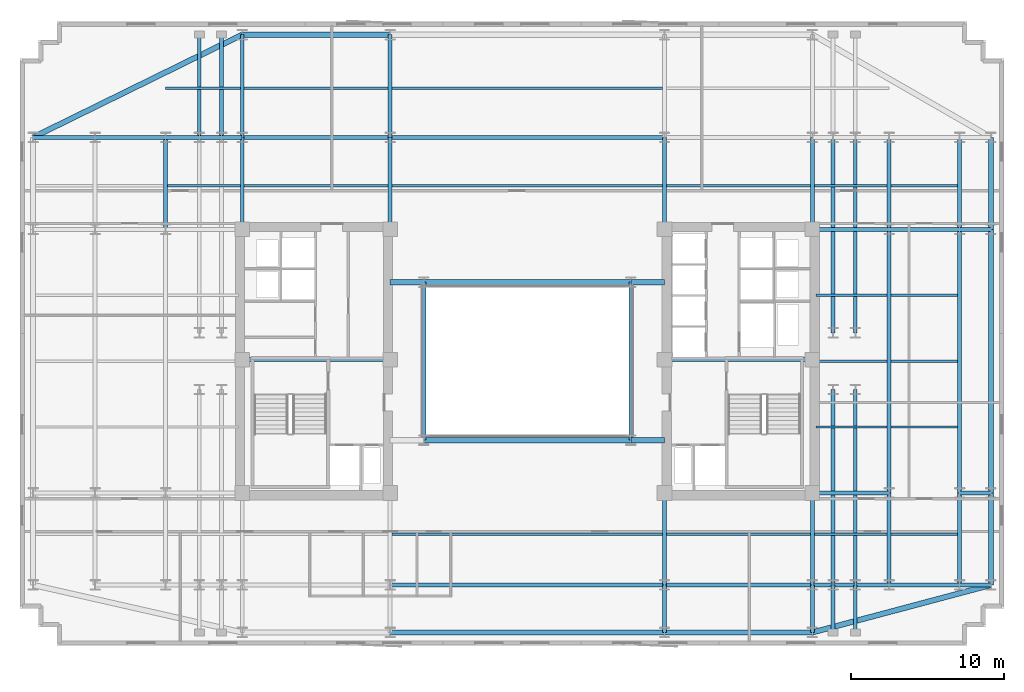
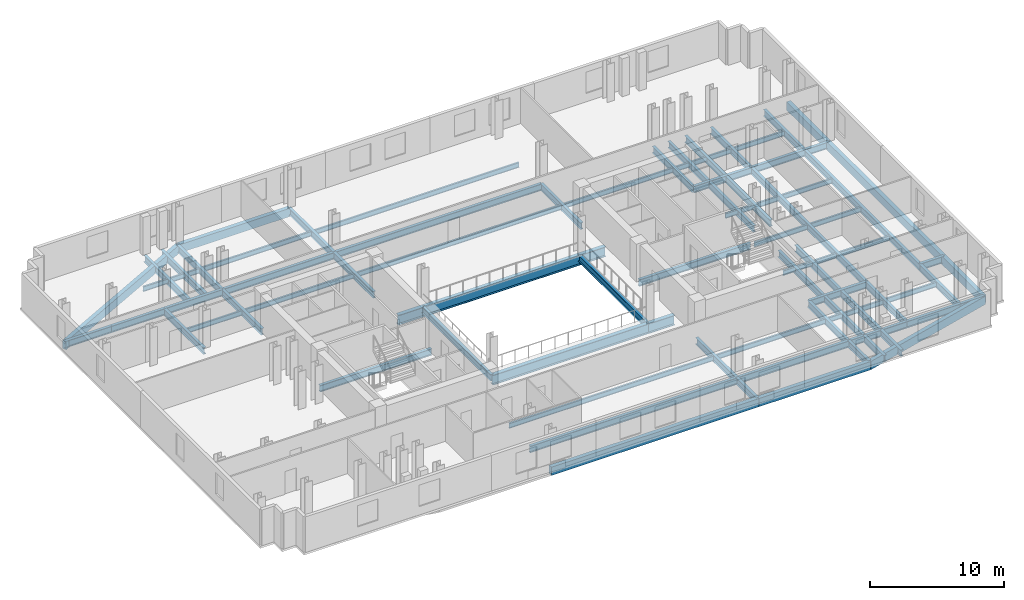
# One storey, part 2 of 10: 76 beams.
"""IFC4 building model written with IfcOpenShell, lengths in metres."""

from ifc_helpers import new_model, si_unit, direction, frame, origin, origin_2d, place, context, subcontext, project, spatial, rectangle, i_section, extrude, material, material_profile, profile_set, type_object, element, save


model = new_model("IFC4")

# Units and contexts
model_context = context("Model", 3, precision=1e-05, world=origin(), true_north=direction((0.0, 1.0)))
body_context = subcontext(model_context, "Body", "Model", "MODEL_VIEW")
ifc_project = project(units=[si_unit("LENGTHUNIT", "METRE"), si_unit("AREAUNIT", "SQUARE_METRE"), si_unit("VOLUMEUNIT", "CUBIC_METRE"), si_unit("PLANEANGLEUNIT", "RADIAN"), si_unit("MASSUNIT", "GRAM", prefix="KILO")], contexts=[model_context])

# Site, building, storey
site_placement = place(None, origin())
site = spatial("IfcSite", under=ifc_project, at=site_placement, CompositionType="ELEMENT")
building_placement = place(site_placement, origin())
building = spatial("IfcBuilding", under=site, at=building_placement, Name="Velakula Bourse", CompositionType="ELEMENT")
storey_placement = place(building_placement, frame((0.0, 0.0, 127.75)))
storey = spatial("IfcBuildingStorey", under=building, at=storey_placement, Name="L34", CompositionType="ELEMENT", Elevation=127.75)

# Beams
ifc_material_1 = material(Name="Steel IS 2062 Grade 350 (E350)", Category="steel")
ifc_material_profile_1 = material_profile(ifc_material_1, i_section(OverallWidth=0.25, OverallDepth=0.60009765625, WebThickness=0.01123046875, FlangeThickness=0.021240234375, at=origin_2d()), Name="Steel IS 2062 Grade 350 (E350)")
ifc_profile_set_1 = profile_set([ifc_material_profile_1], Name="Steel IS 2062 Grade 350 (E350)")
beam_type_1 = type_object("IfcBeamType", Name="BM-GRD-600M", PredefinedType="BEAM", material=ifc_profile_set_1)
for number, where, z_axis, x_axis, name in (
    (1, (-18.60009765625, 0.10009765625, -0.47998046875), (1.0, 0.0, 0.0), (0.0, 1.0, 0.0), "L34 Primary Backbone Girder CRW-M"),
    (2, (8.949951171875, 0.10009765625, -0.47998046875), (1.0, 0.0, 0.0), (0.0, 1.0, 0.0), "L34 Primary Backbone Girder CRE-M"),
):
    element("IfcBeam", number, at=place(storey_placement, frame(where, z_axis=z_axis, x_axis=x_axis)), inside=storey, type_object=beam_type_1, Name=name, PredefinedType="BEAM", context=body_context, shape_type="SweptSolid", body=[
        extrude(i_section(OverallWidth=0.25, OverallDepth=0.60009765625, WebThickness=0.01123046875, FlangeThickness=0.021240234375, at=origin_2d()), origin(), (0.0, 0.0, 1.0), 9.650146484375),
    ])
for number, where, z_axis, x_axis, name in (
    (3, (-6.75, -5.14990234375, -0.47998046875), (0.0, 1.0, 0.0), (-1.0, 0.0, 0.0), "L34 Primary Backbone Girder SPN-W"),
    (4, (6.75, -5.14990234375, -0.47998046875), (0.0, 1.0, 0.0), (-1.0, 0.0, 0.0), "L34 Primary Backbone Girder SPN-E"),
):
    element("IfcBeam", number, at=place(storey_placement, frame(where, z_axis=z_axis, x_axis=x_axis)), inside=storey, type_object=beam_type_1, Name=name, PredefinedType="BEAM", context=body_context, shape_type="SweptSolid", body=[
        extrude(i_section(OverallWidth=0.25, OverallDepth=0.60009765625, WebThickness=0.01123046875, FlangeThickness=0.021240234375, at=origin_2d()), origin(), (0.0, 0.0, 1.0), 10.2998046875),
    ])
for number, where, z_axis, x_axis, name in (
    (5, (-18.60009765625, 8.60009765625, -0.47998046875), (0.0, 1.0, 0.0), (-1.0, 0.0, 0.0), "L34 Fulcrum Grid Girder FLC-WN"),
    (6, (-8.949951171875, 8.60009765625, -0.47998046875), (0.0, 1.0, 0.0), (-1.0, 0.0, 0.0), "L34 Fulcrum Grid Girder FLC-WCN"),
    (7, (8.949951171875, -14.60009765625, -0.47998046875), (0.0, 1.0, 0.0), (-1.0, 0.0, 0.0), "L34 Fulcrum Grid Girder FLC-ECS"),
    (8, (8.949951171875, 8.60009765625, -0.47998046875), (0.0, 1.0, 0.0), (-1.0, 0.0, 0.0), "L34 Fulcrum Grid Girder FLC-ECN"),
    (9, (18.60009765625, -14.60009765625, -0.47998046875), (0.0, 1.0, 0.0), (-1.0, 0.0, 0.0), "L34 Fulcrum Grid Girder FLC-ES"),
    (10, (18.60009765625, 8.60009765625, -0.47998046875), (0.0, 1.0, 0.0), (-1.0, 0.0, 0.0), "L34 Fulcrum Grid Girder FLC-EN"),
):
    element("IfcBeam", number, at=place(storey_placement, frame(where, z_axis=z_axis, x_axis=x_axis)), inside=storey, type_object=beam_type_1, Name=name, PredefinedType="BEAM", context=body_context, shape_type="SweptSolid", body=[
        extrude(i_section(OverallWidth=0.25, OverallDepth=0.60009765625, WebThickness=0.01123046875, FlangeThickness=0.021240234375, at=origin_2d()), origin(), (0.0, 0.0, 1.0), 6.0),
    ])
beam_1_placement = place(storey_placement, frame((-8.949951171875, -14.60009765625, -0.47998046875), z_axis=(1.0, 0.0, 0.0), x_axis=(0.0, 1.0, 0.0)))
element("IfcBeam", 11, at=beam_1_placement, inside=storey, type_object=beam_type_1, Name="L34 Fulcrum Grid Girder FLC-S2", PredefinedType="BEAM", context=body_context, shape_type="SweptSolid", body=[
    extrude(i_section(OverallWidth=0.25, OverallDepth=0.60009765625, WebThickness=0.01123046875, FlangeThickness=0.021240234375, at=origin_2d()), origin(), (0.0, 0.0, 1.0), 17.89990234375),
])
for number, where, z_axis, x_axis, name in (
    (12, (8.949951171875, -14.60009765625, -0.47998046875), (1.0, 0.0, 0.0), (0.0, 1.0, 0.0), "L34 Fulcrum Grid Girder FLC-S3"),
    (13, (-18.60009765625, 14.60009765625, -0.47998046875), (1.0, 0.0, 0.0), (0.0, 1.0, 0.0), "L34 Fulcrum Grid Girder FLC-N1"),
):
    element("IfcBeam", number, at=place(storey_placement, frame(where, z_axis=z_axis, x_axis=x_axis)), inside=storey, type_object=beam_type_1, Name=name, PredefinedType="BEAM", context=body_context, shape_type="SweptSolid", body=[
        extrude(i_section(OverallWidth=0.25, OverallDepth=0.60009765625, WebThickness=0.01123046875, FlangeThickness=0.021240234375, at=origin_2d()), origin(), (0.0, 0.0, 1.0), 9.650146484375),
    ])
beam_2_placement = place(storey_placement, frame((-8.949951171875, 14.60009765625, -0.47998046875), z_axis=(1.0, 0.0, 0.0), x_axis=(0.0, 1.0, 0.0)))
element("IfcBeam", 14, at=beam_2_placement, inside=storey, type_object=beam_type_1, Name="L34 Fulcrum Grid Girder FLC-N2", PredefinedType="BEAM", context=body_context, shape_type="SweptSolid", body=[
    extrude(i_section(OverallWidth=0.25, OverallDepth=0.60009765625, WebThickness=0.01123046875, FlangeThickness=0.021240234375, at=origin_2d()), origin(), (0.0, 0.0, 1.0), 17.89990234375),
])
for number, where, z_axis, x_axis, name in (
    (15, (19.949951171875, -14.60009765625, -0.47998046875), (0.0, 1.0, 0.0), (-1.0, 0.0, 0.0), "L34 Fulcrum Grid Girder FLC-PSE1"),
    (16, (19.949951171875, 1.85009765625, -0.47998046875), (0.0, 1.0, 0.0), (-1.0, 0.0, 0.0), "L34 Fulcrum Grid Girder FLC-PNE1"),
    (17, (21.39990234375, -14.60009765625, -0.47998046875), (0.0, 1.0, 0.0), (-1.0, 0.0, 0.0), "L34 Fulcrum Grid Girder FLC-PSE2"),
    (18, (21.39990234375, 1.85009765625, -0.47998046875), (0.0, 1.0, 0.0), (-1.0, 0.0, 0.0), "L34 Fulcrum Grid Girder FLC-PNE2"),
):
    element("IfcBeam", number, at=place(storey_placement, frame(where, z_axis=z_axis, x_axis=x_axis)), inside=storey, type_object=beam_type_1, Name=name, PredefinedType="BEAM", context=body_context, shape_type="SweptSolid", body=[
        extrude(i_section(OverallWidth=0.25, OverallDepth=0.60009765625, WebThickness=0.01123046875, FlangeThickness=0.021240234375, at=origin_2d()), origin(), (0.0, 0.0, 1.0), 12.75),
    ])
beam_3_placement = place(storey_placement, frame((-23.60009765625, 14.60009765625, -0.47998046875), z_axis=(1.0, 0.0, 0.0), x_axis=(0.0, 1.0, 0.0)))
element("IfcBeam", 19, at=beam_3_placement, inside=storey, type_object=beam_type_1, Name="L34 Fulcrum Grid Girder MWG-WN2", PredefinedType="BEAM", context=body_context, shape_type="SweptSolid", body=[
    extrude(i_section(OverallWidth=0.25, OverallDepth=0.60009765625, WebThickness=0.01123046875, FlangeThickness=0.021240234375, at=origin_2d()), origin(), (0.0, 0.0, 1.0), 5.0),
])
beam_4_placement = place(storey_placement, frame((-23.60009765625, 8.60009765625, -0.47998046875), z_axis=(0.0, 1.0, 0.0), x_axis=(-1.0, 0.0, 0.0)))
element("IfcBeam", 20, at=beam_4_placement, inside=storey, type_object=beam_type_1, Name="L34 Fulcrum Grid Girder MWG-WNS3", PredefinedType="BEAM", context=body_context, shape_type="SweptSolid", body=[
    extrude(i_section(OverallWidth=0.25, OverallDepth=0.60009765625, WebThickness=0.01123046875, FlangeThickness=0.021240234375, at=origin_2d()), origin(), (0.0, 0.0, 1.0), 6.0),
])
for number, where, z_axis, x_axis, name in (
    (21, (18.60009765625, -14.60009765625, -0.47998046875), (1.0, 0.0, 0.0), (0.0, 1.0, 0.0), "L34 Fulcrum Grid Girder MWG-ES1"),
    (22, (18.60009765625, -8.60009765625, -0.47998046875), (1.0, 0.0, 0.0), (0.0, 1.0, 0.0), "L34 Fulcrum Grid Girder MWG-ES2"),
    (23, (18.60009765625, 8.60009765625, -0.47998046875), (1.0, 0.0, 0.0), (0.0, 1.0, 0.0), "L34 Fulcrum Grid Girder MWG-EN1"),
):
    element("IfcBeam", number, at=place(storey_placement, frame(where, z_axis=z_axis, x_axis=x_axis)), inside=storey, type_object=beam_type_1, Name=name, PredefinedType="BEAM", context=body_context, shape_type="SweptSolid", body=[
        extrude(i_section(OverallWidth=0.25, OverallDepth=0.60009765625, WebThickness=0.01123046875, FlangeThickness=0.021240234375, at=origin_2d()), origin(), (0.0, 0.0, 1.0), 5.0),
    ])
beam_5_placement = place(storey_placement, frame((23.60009765625, -14.60009765625, -0.47998046875), z_axis=(0.0, 1.0, 0.0), x_axis=(-1.0, 0.0, 0.0)))
element("IfcBeam", 24, at=beam_5_placement, inside=storey, type_object=beam_type_1, Name="L34 Fulcrum Grid Girder MWG-ENS1", PredefinedType="BEAM", context=body_context, shape_type="SweptSolid", body=[
    extrude(i_section(OverallWidth=0.25, OverallDepth=0.60009765625, WebThickness=0.01123046875, FlangeThickness=0.021240234375, at=origin_2d()), origin(), (0.0, 0.0, 1.0), 6.0),
])
beam_6_placement = place(storey_placement, frame((23.60009765625, -8.60009765625, -0.47998046875), z_axis=(0.0, 1.0, 0.0), x_axis=(-1.0, 0.0, 0.0)))
element("IfcBeam", 25, at=beam_6_placement, inside=storey, type_object=beam_type_1, Name="L34 Fulcrum Grid Girder MWG-ENS2", PredefinedType="BEAM", context=body_context, shape_type="SweptSolid", body=[
    extrude(i_section(OverallWidth=0.25, OverallDepth=0.60009765625, WebThickness=0.01123046875, FlangeThickness=0.021240234375, at=origin_2d()), origin(), (0.0, 0.0, 1.0), 17.2001953125),
])
beam_7_placement = place(storey_placement, frame((23.60009765625, 8.60009765625, -0.47998046875), z_axis=(0.0, 1.0, 0.0), x_axis=(-1.0, 0.0, 0.0)))
element("IfcBeam", 26, at=beam_7_placement, inside=storey, type_object=beam_type_1, Name="L34 Fulcrum Grid Girder MWG-ENS3", PredefinedType="BEAM", context=body_context, shape_type="SweptSolid", body=[
    extrude(i_section(OverallWidth=0.25, OverallDepth=0.60009765625, WebThickness=0.01123046875, FlangeThickness=0.021240234375, at=origin_2d()), origin(), (0.0, 0.0, 1.0), 6.0),
])
for number, where, z_axis, x_axis, name in (
    (27, (-28.199951171875, 14.60009765625, -0.47998046875), (1.0, 0.0, 0.0), (0.0, 1.0, 0.0), "L34 Fulcrum Grid Girder WNG-WN2"),
    (28, (23.60009765625, -14.60009765625, -0.47998046875), (1.0, 0.0, 0.0), (0.0, 1.0, 0.0), "L34 Fulcrum Grid Girder WNG-ES1"),
    (29, (23.60009765625, 8.60009765625, -0.47998046875), (1.0, 0.0, 0.0), (0.0, 1.0, 0.0), "L34 Fulcrum Grid Girder WNG-EN1"),
):
    element("IfcBeam", number, at=place(storey_placement, frame(where, z_axis=z_axis, x_axis=x_axis)), inside=storey, type_object=beam_type_1, Name=name, PredefinedType="BEAM", context=body_context, shape_type="SweptSolid", body=[
        extrude(i_section(OverallWidth=0.25, OverallDepth=0.60009765625, WebThickness=0.01123046875, FlangeThickness=0.021240234375, at=origin_2d()), origin(), (0.0, 0.0, 1.0), 4.599853515625),
    ])
beam_8_placement = place(storey_placement, frame((28.199951171875, -14.60009765625, -0.47998046875), z_axis=(0.0, 1.0, 0.0), x_axis=(-1.0, 0.0, 0.0)))
element("IfcBeam", 30, at=beam_8_placement, inside=storey, type_object=beam_type_1, Name="L34 Fulcrum Grid Girder WNG-ENS1", PredefinedType="BEAM", context=body_context, shape_type="SweptSolid", body=[
    extrude(i_section(OverallWidth=0.25, OverallDepth=0.60009765625, WebThickness=0.01123046875, FlangeThickness=0.021240234375, at=origin_2d()), origin(), (0.0, 0.0, 1.0), 6.0),
])
beam_9_placement = place(storey_placement, frame((28.199951171875, -8.60009765625, -0.47998046875), z_axis=(0.0, 1.0, 0.0), x_axis=(-1.0, 0.0, 0.0)))
element("IfcBeam", 31, at=beam_9_placement, inside=storey, type_object=beam_type_1, Name="L34 Fulcrum Grid Girder WNG-ENS2", PredefinedType="BEAM", context=body_context, shape_type="SweptSolid", body=[
    extrude(i_section(OverallWidth=0.25, OverallDepth=0.60009765625, WebThickness=0.01123046875, FlangeThickness=0.021240234375, at=origin_2d()), origin(), (0.0, 0.0, 1.0), 17.2001953125),
])
beam_10_placement = place(storey_placement, frame((28.199951171875, 8.60009765625, -0.47998046875), z_axis=(0.0, 1.0, 0.0), x_axis=(-1.0, 0.0, 0.0)))
element("IfcBeam", 32, at=beam_10_placement, inside=storey, type_object=beam_type_1, Name="L34 Fulcrum Grid Girder WNG-ENS3", PredefinedType="BEAM", context=body_context, shape_type="SweptSolid", body=[
    extrude(i_section(OverallWidth=0.25, OverallDepth=0.60009765625, WebThickness=0.01123046875, FlangeThickness=0.021240234375, at=origin_2d()), origin(), (0.0, 0.0, 1.0), 6.0),
])
for number, where, z_axis, x_axis, name in (
    (33, (8.949951171875, -14.60009765625, -0.47998046875), (0.0, -1.0, 0.0), (1.0, 0.0, 0.0), "L34 Perimeter Tie Girder S3"),
    (34, (18.60009765625, -14.60009765625, -0.47998046875), (0.0, -1.0, 0.0), (1.0, 0.0, 0.0), "L34 Perimeter Tie Girder S4"),
):
    element("IfcBeam", number, at=place(storey_placement, frame(where, z_axis=z_axis, x_axis=x_axis)), inside=storey, type_object=beam_type_1, Name=name, PredefinedType="BEAM", context=body_context, shape_type="SweptSolid", body=[
        extrude(i_section(OverallWidth=0.25, OverallDepth=0.60009765625, WebThickness=0.01123046875, FlangeThickness=0.021240234375, at=origin_2d()), origin(), (0.0, 0.0, 1.0), 3.099853515625),
    ])
for number, where, z_axis, x_axis, name in (
    (35, (-18.60009765625, 14.60009765625, -0.47998046875), (0.0, 1.0, 0.0), (-1.0, 0.0, 0.0), "L34 Perimeter Tie Girder N1"),
    (36, (-8.949951171875, 14.60009765625, -0.47998046875), (0.0, 1.0, 0.0), (-1.0, 0.0, 0.0), "L34 Perimeter Tie Girder N2"),
):
    element("IfcBeam", number, at=place(storey_placement, frame(where, z_axis=z_axis, x_axis=x_axis)), inside=storey, type_object=beam_type_1, Name=name, PredefinedType="BEAM", context=body_context, shape_type="SweptSolid", body=[
        extrude(i_section(OverallWidth=0.25, OverallDepth=0.60009765625, WebThickness=0.01123046875, FlangeThickness=0.021240234375, at=origin_2d()), origin(), (0.0, 0.0, 1.0), 6.699951171875),
    ])
beam_11_placement = place(storey_placement, frame((-28.199951171875, 14.60009765625, -0.47998046875), z_axis=(-1.0, 0.0, 0.0), x_axis=(0.0, -1.0, 0.0)))
element("IfcBeam", 37, at=beam_11_placement, inside=storey, type_object=beam_type_1, Name="L34 Perimeter Tie Girder W4", PredefinedType="BEAM", context=body_context, shape_type="SweptSolid", body=[
    extrude(i_section(OverallWidth=0.25, OverallDepth=0.60009765625, WebThickness=0.01123046875, FlangeThickness=0.021240234375, at=origin_2d()), origin(), (0.0, 0.0, 1.0), 4.050048828125),
])
for number, where, z_axis, x_axis, name in (
    (38, (28.199951171875, -14.60009765625, -0.47998046875), (1.0, 0.0, 0.0), (0.0, 1.0, 0.0), "L34 Perimeter Tie Girder E1"),
    (39, (28.199951171875, -8.60009765625, -0.47998046875), (1.0, 0.0, 0.0), (0.0, 1.0, 0.0), "L34 Perimeter Tie Girder E2"),
    (40, (28.199951171875, 8.60009765625, -0.47998046875), (1.0, 0.0, 0.0), (0.0, 1.0, 0.0), "L34 Perimeter Tie Girder E3"),
):
    element("IfcBeam", number, at=place(storey_placement, frame(where, z_axis=z_axis, x_axis=x_axis)), inside=storey, type_object=beam_type_1, Name=name, PredefinedType="BEAM", context=body_context, shape_type="SweptSolid", body=[
        extrude(i_section(OverallWidth=0.25, OverallDepth=0.60009765625, WebThickness=0.01123046875, FlangeThickness=0.021240234375, at=origin_2d()), origin(), (0.0, 0.0, 1.0), 2.050048828125),
    ])
for number, where, z_axis, x_axis, name in (
    (41, (19.949951171875, -14.60009765625, -0.47998046875), (0.0, -1.0, 0.0), (1.0, 0.0, 0.0), "L34 Perimeter Tie Girder P03"),
    (42, (21.39990234375, -14.60009765625, -0.47998046875), (0.0, -1.0, 0.0), (1.0, 0.0, 0.0), "L34 Perimeter Tie Girder P04"),
):
    element("IfcBeam", number, at=place(storey_placement, frame(where, z_axis=z_axis, x_axis=x_axis)), inside=storey, type_object=beam_type_1, Name=name, PredefinedType="BEAM", context=body_context, shape_type="SweptSolid", body=[
        extrude(i_section(OverallWidth=0.25, OverallDepth=0.60009765625, WebThickness=0.01123046875, FlangeThickness=0.021240234375, at=origin_2d()), origin(), (0.0, 0.0, 1.0), 3.099853515625),
    ])
for number, where, z_axis, x_axis, name in (
    (43, (-21.39990234375, 14.60009765625, -0.47998046875), (0.0, 1.0, 0.0), (-1.0, 0.0, 0.0), "L34 Perimeter Tie Girder P05"),
    (44, (-19.949951171875, 14.60009765625, -0.47998046875), (0.0, 1.0, 0.0), (-1.0, 0.0, 0.0), "L34 Perimeter Tie Girder P06"),
):
    element("IfcBeam", number, at=place(storey_placement, frame(where, z_axis=z_axis, x_axis=x_axis)), inside=storey, type_object=beam_type_1, Name=name, PredefinedType="BEAM", context=body_context, shape_type="SweptSolid", body=[
        extrude(i_section(OverallWidth=0.25, OverallDepth=0.60009765625, WebThickness=0.01123046875, FlangeThickness=0.021240234375, at=origin_2d()), origin(), (0.0, 0.0, 1.0), 6.699951171875),
    ])
ifc_material_profile_2 = material_profile(ifc_material_1, i_section(OverallWidth=0.35009765625, OverallDepth=0.89990234375, WebThickness=0.02001953125, FlangeThickness=0.031982421875, at=origin_2d()), Name="Steel IS 2062 Grade 350 (E350)")
ifc_profile_set_2 = profile_set([ifc_material_profile_2], Name="Steel IS 2062 Grade 350 (E350)")
beam_type_2 = type_object("IfcBeamType", Name="BM-LNK-900", PredefinedType="BEAM", material=ifc_profile_set_2)
beam_12_placement = place(storey_placement, frame((-6.75, -5.14990234375, -0.6298828125), z_axis=(1.0, 0.0, 0.0), x_axis=(0.0, 1.0, 0.0)))
element("IfcBeam", 45, at=beam_12_placement, inside=storey, type_object=beam_type_2, Name="L34 Primary Backbone Girder LNK-S2", PredefinedType="BEAM", context=body_context, shape_type="SweptSolid", body=[
    extrude(i_section(OverallWidth=0.35009765625, OverallDepth=0.89990234375, WebThickness=0.02001953125, FlangeThickness=0.031982421875, at=origin_2d()), origin(), (0.0, 0.0, 1.0), 13.5),
])
for number, where, z_axis, x_axis, name in (
    (46, (6.75, -5.14990234375, -0.6298828125), (1.0, 0.0, 0.0), (0.0, 1.0, 0.0), "L34 Primary Backbone Girder LNK-S3"),
    (47, (-8.949951171875, 5.14990234375, -0.6298828125), (1.0, 0.0, 0.0), (0.0, 1.0, 0.0), "L34 Primary Backbone Girder LNK-N1"),
):
    element("IfcBeam", number, at=place(storey_placement, frame(where, z_axis=z_axis, x_axis=x_axis)), inside=storey, type_object=beam_type_2, Name=name, PredefinedType="BEAM", context=body_context, shape_type="SweptSolid", body=[
        extrude(i_section(OverallWidth=0.35009765625, OverallDepth=0.89990234375, WebThickness=0.02001953125, FlangeThickness=0.031982421875, at=origin_2d()), origin(), (0.0, 0.0, 1.0), 2.199951171875),
    ])
beam_13_placement = place(storey_placement, frame((-6.75, 5.14990234375, -0.6298828125), z_axis=(1.0, 0.0, 0.0), x_axis=(0.0, 1.0, 0.0)))
element("IfcBeam", 48, at=beam_13_placement, inside=storey, type_object=beam_type_2, Name="L34 Primary Backbone Girder LNK-N2", PredefinedType="BEAM", context=body_context, shape_type="SweptSolid", body=[
    extrude(i_section(OverallWidth=0.35009765625, OverallDepth=0.89990234375, WebThickness=0.02001953125, FlangeThickness=0.031982421875, at=origin_2d()), origin(), (0.0, 0.0, 1.0), 13.5),
])
beam_14_placement = place(storey_placement, frame((6.75, 5.14990234375, -0.6298828125), z_axis=(1.0, 0.0, 0.0), x_axis=(0.0, 1.0, 0.0)))
element("IfcBeam", 49, at=beam_14_placement, inside=storey, type_object=beam_type_2, Name="L34 Primary Backbone Girder LNK-N3", PredefinedType="BEAM", context=body_context, shape_type="SweptSolid", body=[
    extrude(i_section(OverallWidth=0.35009765625, OverallDepth=0.89990234375, WebThickness=0.02001953125, FlangeThickness=0.031982421875, at=origin_2d()), origin(), (0.0, 0.0, 1.0), 2.199951171875),
])
ifc_material_profile_3 = material_profile(ifc_material_1, i_section(OverallWidth=0.14990234375, OverallDepth=0.449951171875, WebThickness=0.009521484375, FlangeThickness=0.017333984375, at=origin_2d()), Name="Steel IS 2062 Grade 350 (E350)")
ifc_profile_set_3 = profile_set([ifc_material_profile_3], Name="Steel IS 2062 Grade 350 (E350)")
beam_type_3 = type_object("IfcBeamType", Name="JST-TWR-450", PredefinedType="JOIST", material=ifc_profile_set_3)
beam_15_placement = place(storey_placement, frame((-8.824951171875, -11.300048828125, -0.405029296875), z_axis=(1.0, 0.0, 0.0), x_axis=(0.0, 1.0, 0.0)))
element("IfcBeam", 50, at=beam_15_placement, inside=storey, type_object=beam_type_3, Name="L34 Trading Floor Composite Joist 05", PredefinedType="JOIST", context=body_context, shape_type="SweptSolid", body=[
    extrude(i_section(OverallWidth=0.14990234375, OverallDepth=0.449951171875, WebThickness=0.009521484375, FlangeThickness=0.017333984375, at=origin_2d()), origin(), (0.0, 0.0, 1.0), 17.64990234375),
])
beam_16_placement = place(storey_placement, frame((9.074951171875, -11.300048828125, -0.405029296875), z_axis=(1.0, 0.0, 0.0), x_axis=(0.0, 1.0, 0.0)))
element("IfcBeam", 51, at=beam_16_placement, inside=storey, type_object=beam_type_3, Name="L34 Trading Floor Composite Joist 06", PredefinedType="JOIST", context=body_context, shape_type="SweptSolid", body=[
    extrude(i_section(OverallWidth=0.14990234375, OverallDepth=0.449951171875, WebThickness=0.009521484375, FlangeThickness=0.017333984375, at=origin_2d()), origin(), (0.0, 0.0, 1.0), 9.400146484375),
])
beam_17_placement = place(storey_placement, frame((18.72509765625, -11.300048828125, -0.405029296875), z_axis=(1.0, 0.0, 0.0), x_axis=(0.0, 1.0, 0.0)))
element("IfcBeam", 52, at=beam_17_placement, inside=storey, type_object=beam_type_3, Name="L34 Trading Floor Composite Joist 07", PredefinedType="JOIST", context=body_context, shape_type="SweptSolid", body=[
    extrude(i_section(OverallWidth=0.14990234375, OverallDepth=0.449951171875, WebThickness=0.009521484375, FlangeThickness=0.017333984375, at=origin_2d()), origin(), (0.0, 0.0, 1.0), 4.75),
])
beam_18_placement = place(storey_placement, frame((23.72509765625, -11.300048828125, -0.405029296875), z_axis=(1.0, 0.0, 0.0), x_axis=(0.0, 1.0, 0.0)))
element("IfcBeam", 53, at=beam_18_placement, inside=storey, type_object=beam_type_3, Name="L34 Trading Floor Composite Joist 08", PredefinedType="JOIST", context=body_context, shape_type="SweptSolid", body=[
    extrude(i_section(OverallWidth=0.14990234375, OverallDepth=0.449951171875, WebThickness=0.009521484375, FlangeThickness=0.017333984375, at=origin_2d()), origin(), (0.0, 0.0, 1.0), 4.349853515625),
])
beam_19_placement = place(storey_placement, frame((-23.47509765625, 11.449951171875, -0.405029296875), z_axis=(1.0, 0.0, 0.0), x_axis=(0.0, 1.0, 0.0)))
element("IfcBeam", 54, at=beam_19_placement, inside=storey, type_object=beam_type_3, Name="L34 Trading Floor Composite Joist 11", PredefinedType="JOIST", context=body_context, shape_type="SweptSolid", body=[
    extrude(i_section(OverallWidth=0.14990234375, OverallDepth=0.449951171875, WebThickness=0.009521484375, FlangeThickness=0.017333984375, at=origin_2d()), origin(), (0.0, 0.0, 1.0), 4.75),
])
beam_20_placement = place(storey_placement, frame((-18.47509765625, 11.449951171875, -0.405029296875), z_axis=(1.0, 0.0, 0.0), x_axis=(0.0, 1.0, 0.0)))
element("IfcBeam", 55, at=beam_20_placement, inside=storey, type_object=beam_type_3, Name="L34 Trading Floor Composite Joist 12", PredefinedType="JOIST", context=body_context, shape_type="SweptSolid", body=[
    extrude(i_section(OverallWidth=0.14990234375, OverallDepth=0.449951171875, WebThickness=0.009521484375, FlangeThickness=0.017333984375, at=origin_2d()), origin(), (0.0, 0.0, 1.0), 9.400146484375),
])
beam_21_placement = place(storey_placement, frame((-8.824951171875, 11.449951171875, -0.405029296875), z_axis=(1.0, 0.0, 0.0), x_axis=(0.0, 1.0, 0.0)))
element("IfcBeam", 56, at=beam_21_placement, inside=storey, type_object=beam_type_3, Name="L34 Trading Floor Composite Joist 13", PredefinedType="JOIST", context=body_context, shape_type="SweptSolid", body=[
    extrude(i_section(OverallWidth=0.14990234375, OverallDepth=0.449951171875, WebThickness=0.009521484375, FlangeThickness=0.017333984375, at=origin_2d()), origin(), (0.0, 0.0, 1.0), 17.64990234375),
])
beam_22_placement = place(storey_placement, frame((9.074951171875, 11.449951171875, -0.405029296875), z_axis=(1.0, 0.0, 0.0), x_axis=(0.0, 1.0, 0.0)))
element("IfcBeam", 57, at=beam_22_placement, inside=storey, type_object=beam_type_3, Name="L34 Trading Floor Composite Joist 14", PredefinedType="JOIST", context=body_context, shape_type="SweptSolid", body=[
    extrude(i_section(OverallWidth=0.14990234375, OverallDepth=0.449951171875, WebThickness=0.009521484375, FlangeThickness=0.017333984375, at=origin_2d()), origin(), (0.0, 0.0, 1.0), 9.400146484375),
])
beam_23_placement = place(storey_placement, frame((18.72509765625, 11.449951171875, -0.405029296875), z_axis=(1.0, 0.0, 0.0), x_axis=(0.0, 1.0, 0.0)))
element("IfcBeam", 58, at=beam_23_placement, inside=storey, type_object=beam_type_3, Name="L34 Trading Floor Composite Joist 15", PredefinedType="JOIST", context=body_context, shape_type="SweptSolid", body=[
    extrude(i_section(OverallWidth=0.14990234375, OverallDepth=0.449951171875, WebThickness=0.009521484375, FlangeThickness=0.017333984375, at=origin_2d()), origin(), (0.0, 0.0, 1.0), 4.75),
])
beam_24_placement = place(storey_placement, frame((23.72509765625, 11.449951171875, -0.405029296875), z_axis=(1.0, 0.0, 0.0), x_axis=(0.0, 1.0, 0.0)))
element("IfcBeam", 59, at=beam_24_placement, inside=storey, type_object=beam_type_3, Name="L34 Trading Floor Composite Joist 16", PredefinedType="JOIST", context=body_context, shape_type="SweptSolid", body=[
    extrude(i_section(OverallWidth=0.14990234375, OverallDepth=0.449951171875, WebThickness=0.009521484375, FlangeThickness=0.017333984375, at=origin_2d()), origin(), (0.0, 0.0, 1.0), 4.349853515625),
])
beam_25_placement = place(storey_placement, frame((-23.60009765625, 17.800048828125, -0.405029296875), z_axis=(1.0, 0.0, 0.0), x_axis=(0.0, 1.0, 0.0)))
element("IfcBeam", 60, at=beam_25_placement, inside=storey, type_object=beam_type_3, Name="L34 Trading Floor Composite Joist 17", PredefinedType="JOIST", context=body_context, shape_type="SweptSolid", body=[
    extrude(i_section(OverallWidth=0.14990234375, OverallDepth=0.449951171875, WebThickness=0.009521484375, FlangeThickness=0.017333984375, at=origin_2d()), origin(), (0.0, 0.0, 1.0), 4.875),
])
beam_26_placement = place(storey_placement, frame((-18.47509765625, 17.800048828125, -0.405029296875), z_axis=(1.0, 0.0, 0.0), x_axis=(0.0, 1.0, 0.0)))
element("IfcBeam", 61, at=beam_26_placement, inside=storey, type_object=beam_type_3, Name="L34 Trading Floor Composite Joist 18", PredefinedType="JOIST", context=body_context, shape_type="SweptSolid", body=[
    extrude(i_section(OverallWidth=0.14990234375, OverallDepth=0.449951171875, WebThickness=0.009521484375, FlangeThickness=0.017333984375, at=origin_2d()), origin(), (0.0, 0.0, 1.0), 9.400146484375),
])
beam_27_placement = place(storey_placement, frame((-8.824951171875, 17.800048828125, -0.405029296875), z_axis=(1.0, 0.0, 0.0), x_axis=(0.0, 1.0, 0.0)))
element("IfcBeam", 62, at=beam_27_placement, inside=storey, type_object=beam_type_3, Name="L34 Trading Floor Composite Joist 19", PredefinedType="JOIST", context=body_context, shape_type="SweptSolid", body=[
    extrude(i_section(OverallWidth=0.14990234375, OverallDepth=0.449951171875, WebThickness=0.009521484375, FlangeThickness=0.017333984375, at=origin_2d()), origin(), (0.0, 0.0, 1.0), 17.64990234375),
])
beam_28_placement = place(storey_placement, frame((18.85009765625, -4.300048828125, -0.405029296875), z_axis=(1.0, 0.0, 0.0), x_axis=(0.0, 1.0, 0.0)))
element("IfcBeam", 63, at=beam_28_placement, inside=storey, type_object=beam_type_3, Name="L34 Trading Floor Composite Joist 28", PredefinedType="JOIST", context=body_context, shape_type="SweptSolid", body=[
    extrude(i_section(OverallWidth=0.14990234375, OverallDepth=0.449951171875, WebThickness=0.009521484375, FlangeThickness=0.017333984375, at=origin_2d()), origin(), (0.0, 0.0, 1.0), 4.625),
])
beam_29_placement = place(storey_placement, frame((23.72509765625, -4.300048828125, -0.405029296875), z_axis=(1.0, 0.0, 0.0), x_axis=(0.0, 1.0, 0.0)))
element("IfcBeam", 64, at=beam_29_placement, inside=storey, type_object=beam_type_3, Name="L34 Trading Floor Composite Joist 29", PredefinedType="JOIST", context=body_context, shape_type="SweptSolid", body=[
    extrude(i_section(OverallWidth=0.14990234375, OverallDepth=0.449951171875, WebThickness=0.009521484375, FlangeThickness=0.017333984375, at=origin_2d()), origin(), (0.0, 0.0, 1.0), 4.349853515625),
])
beam_30_placement = place(storey_placement, frame((18.85009765625, 0.0, -0.405029296875), z_axis=(1.0, 0.0, 0.0), x_axis=(0.0, 1.0, 0.0)))
element("IfcBeam", 65, at=beam_30_placement, inside=storey, type_object=beam_type_3, Name="L34 Trading Floor Composite Joist 33", PredefinedType="JOIST", context=body_context, shape_type="SweptSolid", body=[
    extrude(i_section(OverallWidth=0.14990234375, OverallDepth=0.449951171875, WebThickness=0.009521484375, FlangeThickness=0.017333984375, at=origin_2d()), origin(), (0.0, 0.0, 1.0), 4.625),
])
beam_31_placement = place(storey_placement, frame((23.72509765625, 0.0, -0.405029296875), z_axis=(1.0, 0.0, 0.0), x_axis=(0.0, 1.0, 0.0)))
element("IfcBeam", 66, at=beam_31_placement, inside=storey, type_object=beam_type_3, Name="L34 Trading Floor Composite Joist 34", PredefinedType="JOIST", context=body_context, shape_type="SweptSolid", body=[
    extrude(i_section(OverallWidth=0.14990234375, OverallDepth=0.449951171875, WebThickness=0.009521484375, FlangeThickness=0.017333984375, at=origin_2d()), origin(), (0.0, 0.0, 1.0), 4.349853515625),
])
beam_32_placement = place(storey_placement, frame((18.85009765625, 4.300048828125, -0.405029296875), z_axis=(1.0, 0.0, 0.0), x_axis=(0.0, 1.0, 0.0)))
element("IfcBeam", 67, at=beam_32_placement, inside=storey, type_object=beam_type_3, Name="L34 Trading Floor Composite Joist 38", PredefinedType="JOIST", context=body_context, shape_type="SweptSolid", body=[
    extrude(i_section(OverallWidth=0.14990234375, OverallDepth=0.449951171875, WebThickness=0.009521484375, FlangeThickness=0.017333984375, at=origin_2d()), origin(), (0.0, 0.0, 1.0), 4.625),
])
beam_33_placement = place(storey_placement, frame((23.72509765625, 4.300048828125, -0.405029296875), z_axis=(1.0, 0.0, 0.0), x_axis=(0.0, 1.0, 0.0)))
element("IfcBeam", 68, at=beam_33_placement, inside=storey, type_object=beam_type_3, Name="L34 Trading Floor Composite Joist 39", PredefinedType="JOIST", context=body_context, shape_type="SweptSolid", body=[
    extrude(i_section(OverallWidth=0.14990234375, OverallDepth=0.449951171875, WebThickness=0.009521484375, FlangeThickness=0.017333984375, at=origin_2d()), origin(), (0.0, 0.0, 1.0), 4.349853515625),
])
ifc_material_2 = material(Name="Precast concrete M45 (fck 45 MPa)", Category="concrete")
ifc_material_profile_4 = material_profile(ifc_material_2, rectangle(XDim=0.35009765625, YDim=0.75, at=origin_2d()), Name="Precast concrete M45 (fck 45 MPa)")
ifc_profile_set_4 = profile_set([ifc_material_profile_4], Name="Precast concrete M45 (fck 45 MPa)")
beam_type_4 = type_object("IfcBeamType", Name="SPN-BRICK-750", PredefinedType="SPANDREL", material=ifc_profile_set_4)
beam_34_placement = place(storey_placement, frame((-8.949951171875, -17.699951171875, -0.554931640625), z_axis=(1.0, 0.0, 0.0), x_axis=(0.0, 1.0, 0.0)))
element("IfcBeam", 69, at=beam_34_placement, inside=storey, type_object=beam_type_4, Name="L34 Brick-Faced Precast Spandrel S2-S3", PredefinedType="SPANDREL", context=body_context, shape_type="SweptSolid", body=[
    extrude(rectangle(XDim=0.35009765625, YDim=0.75, at=origin_2d()), origin(), (0.0, 0.0, 1.0), 17.89990234375),
])
for number, where, z_axis, x_axis, name in (
    (70, (8.949951171875, -17.699951171875, -0.554931640625), (1.0, 0.0, 0.0), (0.0, 1.0, 0.0), "L34 Brick-Faced Precast Spandrel S3-S4"),
    (71, (-18.60009765625, 21.300048828125, -0.554931640625), (1.0, 0.0, 0.0), (0.0, 1.0, 0.0), "L34 Brick-Faced Precast Spandrel N1-N2"),
):
    element("IfcBeam", number, at=place(storey_placement, frame(where, z_axis=z_axis, x_axis=x_axis)), inside=storey, type_object=beam_type_4, Name=name, PredefinedType="SPANDREL", context=body_context, shape_type="SweptSolid", body=[
        extrude(rectangle(XDim=0.35009765625, YDim=0.75, at=origin_2d()), origin(), (0.0, 0.0, 1.0), 9.650146484375),
    ])
beam_35_placement = place(storey_placement, frame((30.25, -14.60009765625, -0.554931640625), z_axis=(0.0, 1.0, 0.0), x_axis=(-1.0, 0.0, 0.0)))
element("IfcBeam", 72, at=beam_35_placement, inside=storey, type_object=beam_type_4, Name="L34 Brick-Faced Precast Spandrel E1-E2", PredefinedType="SPANDREL", context=body_context, shape_type="SweptSolid", body=[
    extrude(rectangle(XDim=0.35009765625, YDim=0.75, at=origin_2d()), origin(), (0.0, 0.0, 1.0), 6.0),
])
beam_36_placement = place(storey_placement, frame((30.25, -8.60009765625, -0.554931640625), z_axis=(0.0, 1.0, 0.0), x_axis=(-1.0, 0.0, 0.0)))
element("IfcBeam", 73, at=beam_36_placement, inside=storey, type_object=beam_type_4, Name="L34 Brick-Faced Precast Spandrel E2-E3", PredefinedType="SPANDREL", context=body_context, shape_type="SweptSolid", body=[
    extrude(rectangle(XDim=0.35009765625, YDim=0.75, at=origin_2d()), origin(), (0.0, 0.0, 1.0), 17.2001953125),
])
beam_37_placement = place(storey_placement, frame((30.25, 8.60009765625, -0.554931640625), z_axis=(0.0, 1.0, 0.0), x_axis=(-1.0, 0.0, 0.0)))
element("IfcBeam", 74, at=beam_37_placement, inside=storey, type_object=beam_type_4, Name="L34 Brick-Faced Precast Spandrel E3-E4", PredefinedType="SPANDREL", context=body_context, shape_type="SweptSolid", body=[
    extrude(rectangle(XDim=0.35009765625, YDim=0.75, at=origin_2d()), origin(), (0.0, 0.0, 1.0), 6.0),
])
beam_38_placement = place(storey_placement, frame((18.60009765625, -17.699951171875, -0.554931640625), z_axis=(0.966374962557, 0.257136990226, 0.0), x_axis=(-0.257136990226, 0.966374962557, 0.0)))
element("IfcBeam", 75, at=beam_38_placement, inside=storey, type_object=beam_type_4, Name="L34 Brick-Faced Precast Spandrel S4-E1", PredefinedType="SPANDREL", context=body_context, shape_type="SweptSolid", body=[
    extrude(rectangle(XDim=0.35009765625, YDim=0.75, at=origin_2d()), origin(), (0.0, 0.0, 1.0), 12.05517578125),
])
beam_39_placement = place(storey_placement, frame((-18.60009765625, 21.300048828125, -0.554931640625), z_axis=(-0.897691282679, -0.440624966385, 0.0), x_axis=(0.440624966385, -0.897691282679, 0.0)))
element("IfcBeam", 76, at=beam_39_placement, inside=storey, type_object=beam_type_4, Name="L34 Brick-Faced Precast Spandrel N1-W4", PredefinedType="SPANDREL", context=body_context, shape_type="SweptSolid", body=[
    extrude(rectangle(XDim=0.35009765625, YDim=0.75, at=origin_2d()), origin(), (0.0, 0.0, 1.0), 15.20556640625),
])

save(model, "model.ifc")
